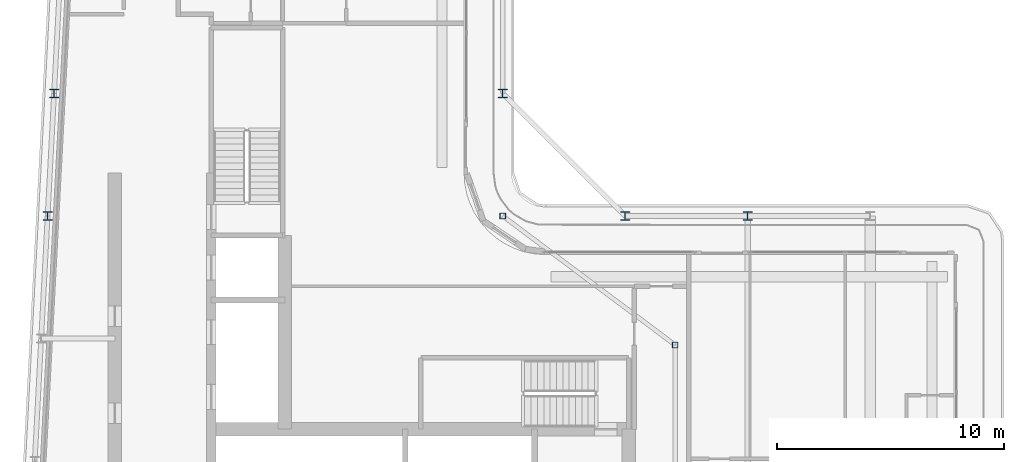
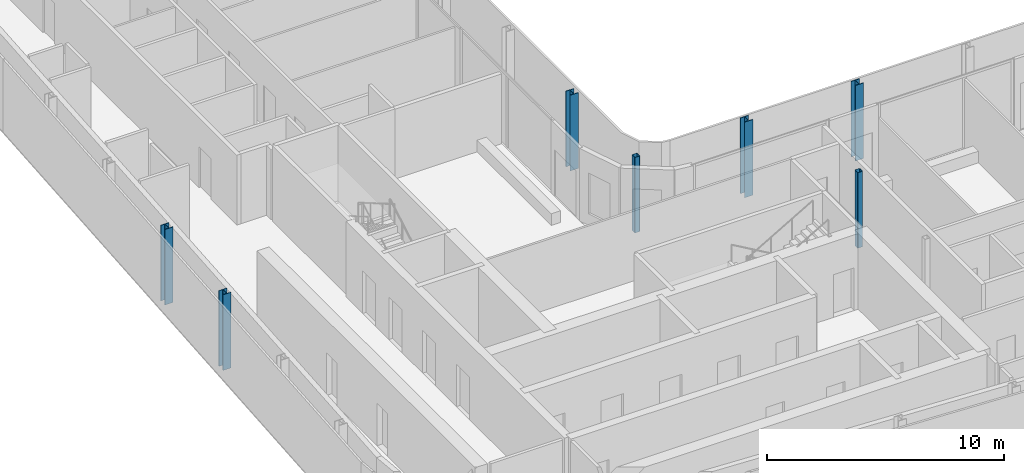
# One storey, part 2 of 21: 7 columns.
"""IFC4 building model written with IfcOpenShell, lengths in metres."""

from ifc_helpers import new_model, si_unit, direction, frame, origin, origin_2d, place, context, subcontext, project, spatial, hollow_rectangle, i_section, extrude, material, material_profile, profile_set, type_object, element, save


model = new_model("IFC4")

# Units and contexts
model_context = context("Model", 3, precision=1e-05, world=origin(), true_north=direction((0.0, 1.0)))
body_context = subcontext(model_context, "Body", "Model", "MODEL_VIEW")
ifc_project = project(units=[si_unit("LENGTHUNIT", "METRE"), si_unit("AREAUNIT", "SQUARE_METRE"), si_unit("VOLUMEUNIT", "CUBIC_METRE"), si_unit("PLANEANGLEUNIT", "RADIAN"), si_unit("MASSUNIT", "GRAM", prefix="KILO")], contexts=[model_context])

# Site, building, storey
site_placement = place(None, origin())
site = spatial("IfcSite", under=ifc_project, at=site_placement, CompositionType="ELEMENT")
building_placement = place(site_placement, origin())
building = spatial("IfcBuilding", under=site, at=building_placement, Name="Kheshtan School and Residences Tower", CompositionType="ELEMENT")
storey_placement = place(building_placement, frame((0.0, 0.0, 313.699951171875)))
storey = spatial("IfcBuildingStorey", under=building, at=storey_placement, Name="L74", CompositionType="ELEMENT", Elevation=313.699951171875)

# Columns
ifc_material_1 = material(Name="Steel ASTM A992 Grade 50", Category="steel")
ifc_material_profile_1 = material_profile(ifc_material_1, i_section(OverallWidth=0.39501953125, OverallDepth=0.3798828125, WebThickness=0.018798828125, FlangeThickness=0.0302734375, FilletRadius=0.011474609375, at=origin_2d()), Name="W360x237")
ifc_profile_set_1 = profile_set([ifc_material_profile_1], Name="Steel ASTM A992 Grade 50")
column_type_1 = type_object("IfcColumnType", Name="Column C5 W360x237 ASTM A992 Grade 50", PredefinedType="COLUMN", material=ifc_profile_set_1)
for number, where, z_axis, x_axis, name in (
    (1, (27.537109375, 45.60009765625, 0.0), (0.0, 0.0, 1.0), (1.0, 0.0, 0.0), "Column C059"),
    (2, (53.0, 45.60009765625, 0.0), (0.0, 0.0, 1.0), (1.0, 0.0, 0.0), "Column C061"),
    (3, (58.39990234375, 45.60009765625, 0.0), (0.0, 0.0, 1.0), (1.0, 0.0, 0.0), "Column C062"),
    (4, (27.822021484375, 51.0, 0.0), (0.0, 0.0, 1.0), (1.0, 0.0, 0.0), "Column C078"),
    (5, (47.60009765625, 51.0, 0.0), (0.0, 0.0, 1.0), (1.0, 0.0, 0.0), "Column C079"),
):
    element("IfcColumn", number, at=place(storey_placement, frame(where, z_axis=z_axis, x_axis=x_axis)), inside=storey, type_object=column_type_1, Name=name, PredefinedType="COLUMN", context=body_context, shape_type="SweptSolid", body=[
        extrude(i_section(OverallWidth=0.39501953125, OverallDepth=0.3798828125, WebThickness=0.018798828125, FlangeThickness=0.0302734375, FilletRadius=0.011474609375, at=origin_2d()), origin(), (0.0, 0.0, 1.0), 3.900146484375),
    ])
ifc_material_2 = material(Name="Steel ASTM A500 Grade C", Category="steel")
ifc_material_profile_2 = material_profile(ifc_material_2, hollow_rectangle(XDim=0.25390625, YDim=0.25390625, WallThickness=0.0126953125, InnerFilletRadius=0.0126953125, OuterFilletRadius=0.025390625, at=origin_2d()), Name="HSS 254x254x12.7")
ifc_profile_set_2 = profile_set([ifc_material_profile_2], Name="Steel ASTM A500 Grade C")
column_type_2 = type_object("IfcColumnType", Name="Column IC3 HSS 254x254x12.7 ASTM A500 Grade C", PredefinedType="COLUMN", material=ifc_profile_set_2)
for number, where, z_axis, x_axis, name in (
    (6, (55.199951171875, 39.916015625, 0.0), (0.0, 0.0, 1.0), (1.0, 0.0, 0.0), "Column C055"),
    (7, (47.60009765625, 45.60009765625, 0.0), (0.0, 0.0, 1.0), (1.0, 0.0, 0.0), "Column C060"),
):
    element("IfcColumn", number, at=place(storey_placement, frame(where, z_axis=z_axis, x_axis=x_axis)), inside=storey, type_object=column_type_2, Name=name, PredefinedType="COLUMN", context=body_context, shape_type="SweptSolid", body=[
        extrude(hollow_rectangle(XDim=0.25390625, YDim=0.25390625, WallThickness=0.0126953125, InnerFilletRadius=0.0126953125, OuterFilletRadius=0.025390625, at=origin_2d()), origin(), (0.0, 0.0, 1.0), 3.900146484375),
    ])

save(model, "model.ifc")
